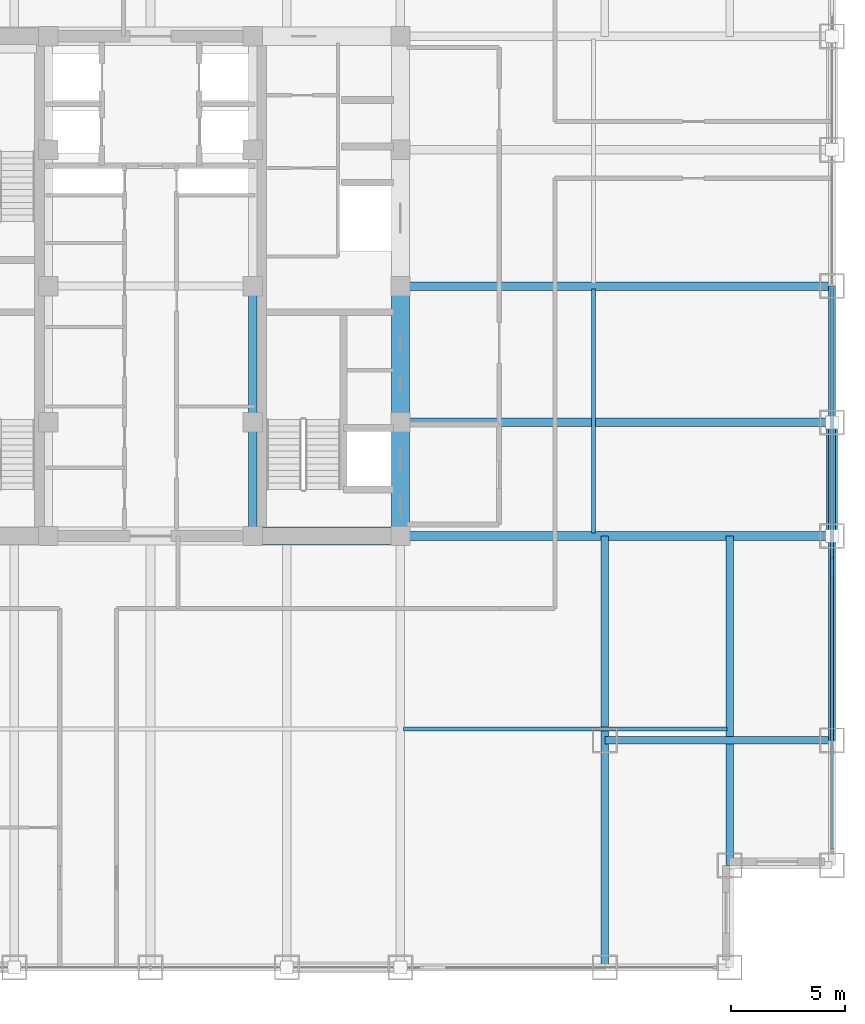
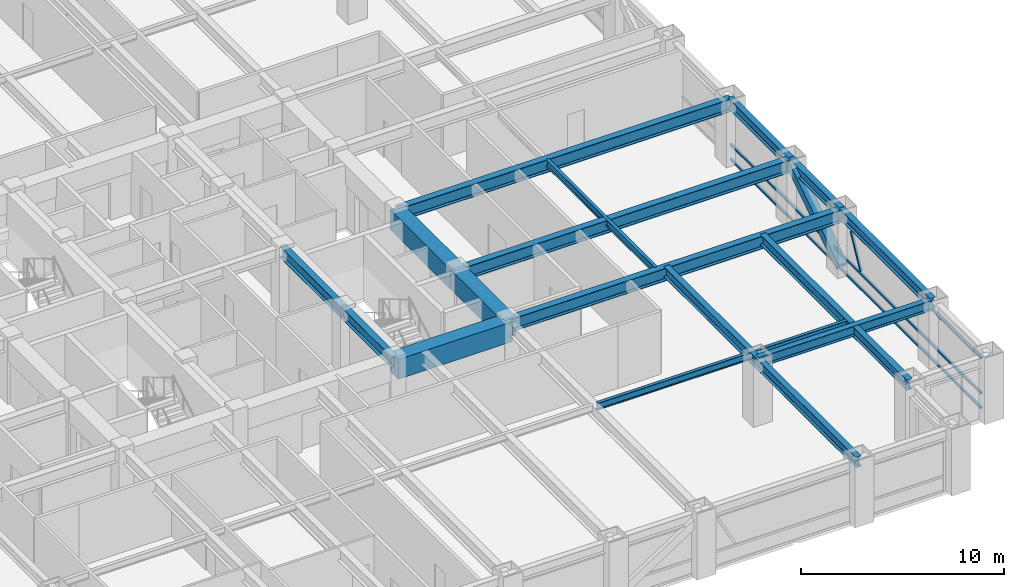
# One storey, part 9 of 24: 16 beams, 5 members, 1 element without a shape of its own.
"""IFC4 building model written with IfcOpenShell, lengths in metres."""

from ifc_helpers import new_model, si_unit, direction, frame, origin, origin_2d, place, context, subcontext, project, spatial, rectangle, hollow_rectangle, i_section, extrude, source, transform, mapped, material, material_profile, profile_set, type_object, element, aggregate, save


model = new_model("IFC4")

# Units and contexts
model_context = context("Model", 3, precision=1e-05, world=origin(), true_north=direction((0.0, 1.0)))
body_context = subcontext(model_context, "Body", "Model", "MODEL_VIEW")
ifc_project = project(units=[si_unit("LENGTHUNIT", "METRE"), si_unit("AREAUNIT", "SQUARE_METRE"), si_unit("VOLUMEUNIT", "CUBIC_METRE"), si_unit("PLANEANGLEUNIT", "RADIAN"), si_unit("MASSUNIT", "GRAM", prefix="KILO")], contexts=[model_context])

# Site, building, storey
site_placement = place(None, origin())
site = spatial("IfcSite", under=ifc_project, at=site_placement, CompositionType="ELEMENT")
building_placement = place(site_placement, origin())
building = spatial("IfcBuilding", under=site, at=building_placement, Name="Khorayat Bourse Tower", CompositionType="ELEMENT")
storey_placement = place(building_placement, frame((0.0, 0.0, 179.10009765625)))
storey = spatial("IfcBuildingStorey", under=building, at=storey_placement, Name="L41", CompositionType="ELEMENT", Elevation=179.10009765625)

# Beams
ifc_material_1 = material(Name="Concrete C72/90", Category="concrete")
ifc_material_profile_1 = material_profile(ifc_material_1, rectangle(XDim=0.800048828125, YDim=1.199951171875, at=origin_2d()), Name="RC 800x1200")
ifc_profile_set_1 = profile_set([ifc_material_profile_1], Name="Concrete C72/90")
beam_type_1 = type_object("IfcBeamType", Name="BM-COUP-1200", PredefinedType="BEAM", material=ifc_profile_set_1)
shared_shape_1 = source(origin(), body_context, "Body", "SweptSolid", [
    extrude(rectangle(XDim=0.800048828125, YDim=1.199951171875, at=origin_2d()), origin(), (0.0, 0.0, 1.0), 5.0),
])
beam_1_placement = place(storey_placement, frame((11.0, -11.0, 3.179931640625), z_axis=(0.0, 1.0, 0.0), x_axis=(-1.0, 0.0, 0.0)))
element("IfcBeam", 1, at=beam_1_placement, inside=storey, type_object=beam_type_1, Name="L41 BM-COUP-1200 BM-L41-CRX-13", PredefinedType="BEAM", context=body_context, shape_type="MappedRepresentation", body=[
    mapped(shared_shape_1, transform((0.0, 0.0, 0.0), scale=1.0)),
])
shared_shape_2 = source(origin(), body_context, "Body", "SweptSolid", [
    extrude(rectangle(XDim=0.800048828125, YDim=1.199951171875, at=origin_2d()), origin(), (0.0, 0.0, 1.0), 6.0),
])
beam_2_placement = place(storey_placement, frame((11.0, -6.0, 3.179931640625), z_axis=(0.0, 1.0, 0.0), x_axis=(-1.0, 0.0, 0.0)))
element("IfcBeam", 2, at=beam_2_placement, inside=storey, type_object=beam_type_1, Name="L41 BM-COUP-1200 BM-L41-CRX-14", PredefinedType="BEAM", context=body_context, shape_type="MappedRepresentation", body=[
    mapped(shared_shape_2, transform((0.0, 0.0, 0.0), scale=1.0)),
])
ifc_material_2 = material(Name="Steel ASTM A992 Grade 50", Category="steel")
ifc_material_profile_2 = material_profile(ifc_material_2, i_section(OverallWidth=0.35498046875, OverallDepth=0.695068359375, WebThickness=0.015380859375, FlangeThickness=0.02490234375, FilletRadius=0.01806640625, at=origin_2d()), Name="W690X217")
ifc_profile_set_2 = profile_set([ifc_material_profile_2], Name="Steel ASTM A992 Grade 50")
beam_type_2 = type_object("IfcBeamType", Name="BM-GIRD-690", PredefinedType="BEAM", material=ifc_profile_set_2)
shared_shape_3 = source(origin(), body_context, "Body", "SweptSolid", [
    extrude(i_section(OverallWidth=0.35498046875, OverallDepth=0.695068359375, WebThickness=0.015380859375, FlangeThickness=0.02490234375, FilletRadius=0.01806640625, at=origin_2d()), origin(), (0.0, 0.0, 1.0), 5.0),
])
beam_3_placement = place(storey_placement, frame((4.5, -11.0, 3.432373046875), z_axis=(0.0, 1.0, 0.0), x_axis=(-1.0, 0.0, 0.0)))
element("IfcBeam", 3, at=beam_3_placement, inside=storey, type_object=beam_type_2, Name="L41 BM-GIRD-690 BM-L41-CRX-09", PredefinedType="BEAM", context=body_context, shape_type="MappedRepresentation", body=[
    mapped(shared_shape_3, transform((0.0, 0.0, 0.0), scale=1.0)),
])
shared_shape_4 = source(origin(), body_context, "Body", "SweptSolid", [
    extrude(i_section(OverallWidth=0.35498046875, OverallDepth=0.695068359375, WebThickness=0.015380859375, FlangeThickness=0.02490234375, FilletRadius=0.01806640625, at=origin_2d()), origin(), (0.0, 0.0, 1.0), 6.0),
])
beam_4_placement = place(storey_placement, frame((4.5, -6.0, 3.432373046875), z_axis=(0.0, 1.0, 0.0), x_axis=(-1.0, 0.0, 0.0)))
element("IfcBeam", 4, at=beam_4_placement, inside=storey, type_object=beam_type_2, Name="L41 BM-GIRD-690 BM-L41-CRX-10", PredefinedType="BEAM", context=body_context, shape_type="MappedRepresentation", body=[
    mapped(shared_shape_4, transform((0.0, 0.0, 0.0), scale=1.0)),
])
shared_shape_5 = source(origin(), body_context, "Body", "SweptSolid", [
    extrude(rectangle(XDim=0.800048828125, YDim=1.199951171875, at=origin_2d()), origin(), (0.0, 0.0, 1.0), 6.5),
])
beam_5_placement = place(storey_placement, frame((4.5, -11.0, 3.179931640625), z_axis=(1.0, 0.0, 0.0), x_axis=(0.0, 1.0, 0.0)))
element("IfcBeam", 5, at=beam_5_placement, inside=storey, type_object=beam_type_1, Name="L41 BM-COUP-1200 BM-L41-CRY-19", PredefinedType="BEAM", context=body_context, shape_type="MappedRepresentation", body=[
    mapped(shared_shape_5, transform((0.0, 0.0, 0.0), scale=1.0)),
])
ifc_material_profile_3 = material_profile(ifc_material_2, i_section(OverallWidth=0.381103515625, OverallDepth=0.77294921875, WebThickness=0.0166015625, FlangeThickness=0.027587890625, FilletRadius=0.01806640625, at=origin_2d()), Name="W760X257")
ifc_profile_set_3 = profile_set([ifc_material_profile_3], Name="Steel ASTM A992 Grade 50")
beam_type_3 = type_object("IfcBeamType", Name="BM-GIRD-760", PredefinedType="BEAM", material=ifc_profile_set_3)
shared_shape_6 = source(origin(), body_context, "Body", "SweptSolid", [
    extrude(i_section(OverallWidth=0.381103515625, OverallDepth=0.77294921875, WebThickness=0.0166015625, FlangeThickness=0.027587890625, FilletRadius=0.01806640625, at=origin_2d()), origin(), (0.0, 0.0, 1.0), 19.0),
])
for number, where, z_axis, x_axis, name in (
    (6, (11.0, -11.0, 3.393310546875), (1.0, 0.0, 0.0), (0.0, 1.0, 0.0), "L41 BM-GIRD-760 BM-L41-RADX-074"),
    (7, (11.0, -6.0, 3.393310546875), (1.0, 0.0, 0.0), (0.0, 1.0, 0.0), "L41 BM-GIRD-760 BM-L41-RADX-076"),
    (8, (11.0, 0.0, 3.393310546875), (1.0, 0.0, 0.0), (0.0, 1.0, 0.0), "L41 BM-GIRD-760 BM-L41-RADX-078"),
):
    element("IfcBeam", number, at=place(storey_placement, frame(where, z_axis=z_axis, x_axis=x_axis)), inside=storey, type_object=beam_type_3, Name=name, PredefinedType="BEAM", context=body_context, shape_type="MappedRepresentation", body=[
        mapped(shared_shape_6, transform((0.0, 0.0, 0.0), scale=1.0)),
    ])
ifc_material_profile_4 = material_profile(ifc_material_2, i_section(OverallWidth=0.324951171875, OverallDepth=0.615966796875, WebThickness=0.013916015625, FlangeThickness=0.021484375, FilletRadius=0.01611328125, at=origin_2d()), Name="W610X174")
ifc_profile_set_4 = profile_set([ifc_material_profile_4], Name="Steel ASTM A992 Grade 50")
beam_type_4 = type_object("IfcBeamType", Name="BM-GIRD-610", PredefinedType="BEAM", material=ifc_profile_set_4)
shared_shape_7 = source(origin(), body_context, "Body", "SweptSolid", [
    extrude(i_section(OverallWidth=0.324951171875, OverallDepth=0.615966796875, WebThickness=0.013916015625, FlangeThickness=0.021484375, FilletRadius=0.01611328125, at=origin_2d()), origin(), (0.0, 0.0, 1.0), 19.0),
])
beam_6_placement = place(storey_placement, frame((20.0, -30.0, 3.471923828125), z_axis=(0.0, 1.0, 0.0), x_axis=(-1.0, 0.0, 0.0)))
element("IfcBeam", 9, at=beam_6_placement, inside=storey, type_object=beam_type_4, Name="L41 BM-GIRD-610 BM-L41-CNRY-086", PredefinedType="BEAM", context=body_context, shape_type="MappedRepresentation", body=[
    mapped(shared_shape_7, transform((0.0, 0.0, 0.0), scale=1.0)),
])
shared_shape_8 = source(origin(), body_context, "Body", "SweptSolid", [
    extrude(i_section(OverallWidth=0.324951171875, OverallDepth=0.615966796875, WebThickness=0.013916015625, FlangeThickness=0.021484375, FilletRadius=0.01611328125, at=origin_2d()), origin(), (0.0, 0.0, 1.0), 14.5),
])
beam_7_placement = place(storey_placement, frame((25.5, -25.5, 3.471923828125), z_axis=(0.0, 1.0, 0.0), x_axis=(-1.0, 0.0, 0.0)))
element("IfcBeam", 10, at=beam_7_placement, inside=storey, type_object=beam_type_4, Name="L41 BM-GIRD-610 BM-L41-CNRY-090", PredefinedType="BEAM", context=body_context, shape_type="MappedRepresentation", body=[
    mapped(shared_shape_8, transform((0.0, 0.0, 0.0), scale=1.0)),
])
shared_shape_9 = source(origin(), body_context, "Body", "SweptSolid", [
    extrude(i_section(OverallWidth=0.324951171875, OverallDepth=0.615966796875, WebThickness=0.013916015625, FlangeThickness=0.021484375, FilletRadius=0.01611328125, at=origin_2d()), origin(), (0.0, 0.0, 1.0), 10.0),
])
beam_8_placement = place(storey_placement, frame((20.0, -20.0, 3.471923828125), z_axis=(1.0, 0.0, 0.0), x_axis=(0.0, 1.0, 0.0)))
element("IfcBeam", 11, at=beam_8_placement, inside=storey, type_object=beam_type_4, Name="L41 BM-GIRD-610 BM-L41-CNRX-092", PredefinedType="BEAM", context=body_context, shape_type="MappedRepresentation", body=[
    mapped(shared_shape_9, transform((0.0, 0.0, 0.0), scale=1.0)),
])
ifc_material_profile_5 = material_profile(ifc_material_2, i_section(OverallWidth=0.180908203125, OverallDepth=0.4169921875, WebThickness=0.010986328125, FlangeThickness=0.018310546875, FilletRadius=0.011962890625, at=origin_2d()), Name="W410X85")
ifc_profile_set_5 = profile_set([ifc_material_profile_5], Name="Steel ASTM A992 Grade 50")
beam_type_5 = type_object("IfcBeamType", Name="BM-JOIST-410", PredefinedType="JOIST", material=ifc_profile_set_5)
shared_shape_10 = source(origin(), body_context, "Body", "SweptSolid", [
    extrude(i_section(OverallWidth=0.180908203125, OverallDepth=0.4169921875, WebThickness=0.010986328125, FlangeThickness=0.018310546875, FilletRadius=0.011962890625, at=origin_2d()), origin(), (0.0, 0.0, 1.0), 14.240234375),
])
beam_9_placement = place(storey_placement, frame((11.1298828125, -19.5, 3.5712890625), z_axis=(1.0, 0.0, 0.0), x_axis=(0.0, 1.0, 0.0)))
element("IfcBeam", 12, at=beam_9_placement, inside=storey, type_object=beam_type_5, Name="L41 BM-JOIST-410 BM-L41-JSTX-098", PredefinedType="JOIST", context=body_context, shape_type="MappedRepresentation", body=[
    mapped(shared_shape_10, transform((0.0, 0.0, 0.0), scale=1.0)),
])
shared_shape_11 = source(origin(), body_context, "Body", "SweptSolid", [
    extrude(i_section(OverallWidth=0.180908203125, OverallDepth=0.4169921875, WebThickness=0.010986328125, FlangeThickness=0.018310546875, FilletRadius=0.011962890625, at=origin_2d()), origin(), (0.0, 0.0, 1.0), 10.740234375),
])
beam_10_placement = place(storey_placement, frame((19.5, -10.8701171875, 3.5712890625), z_axis=(0.0, 1.0, 0.0), x_axis=(-1.0, 0.0, 0.0)))
element("IfcBeam", 13, at=beam_10_placement, inside=storey, type_object=beam_type_5, Name="L41 BM-JOIST-410 BM-L41-JSTY-104", PredefinedType="JOIST", context=body_context, shape_type="MappedRepresentation", body=[
    mapped(shared_shape_11, transform((0.0, 0.0, 0.0), scale=1.0)),
])
ifc_material_profile_6 = material_profile(ifc_material_2, i_section(OverallWidth=0.324951171875, OverallDepth=0.615966796875, WebThickness=0.013916015625, FlangeThickness=0.021484375, FilletRadius=0.01611328125, at=origin_2d()), Name="W610X174")
ifc_profile_set_6 = profile_set([ifc_material_profile_6], Name="Steel ASTM A992 Grade 50")
beam_type_6 = type_object("IfcBeamType", Name="BM-SPAN-610", PredefinedType="SPANDREL", material=ifc_profile_set_6)
shared_shape_12 = source(origin(), body_context, "Body", "SweptSolid", [
    extrude(i_section(OverallWidth=0.324951171875, OverallDepth=0.615966796875, WebThickness=0.013916015625, FlangeThickness=0.021484375, FilletRadius=0.01611328125, at=origin_2d()), origin(), (0.0, 0.0, 1.0), 9.0),
])
beam_11_placement = place(storey_placement, frame((30.0, -20.0, 3.471923828125), z_axis=(0.0, 1.0, 0.0), x_axis=(-1.0, 0.0, 0.0)))
element("IfcBeam", 14, at=beam_11_placement, inside=storey, type_object=beam_type_6, Name="L41 BM-SPAN-610 BM-L41-SPN-035", PredefinedType="SPANDREL", context=body_context, shape_type="MappedRepresentation", body=[
    mapped(shared_shape_12, transform((0.0, 0.0, 0.0), scale=1.0)),
])
shared_shape_13 = source(origin(), body_context, "Body", "SweptSolid", [
    extrude(i_section(OverallWidth=0.324951171875, OverallDepth=0.615966796875, WebThickness=0.013916015625, FlangeThickness=0.021484375, FilletRadius=0.01611328125, at=origin_2d()), origin(), (0.0, 0.0, 1.0), 5.0),
])
beam_12_placement = place(storey_placement, frame((30.0, -11.0, 3.471923828125), z_axis=(0.0, 1.0, 0.0), x_axis=(-1.0, 0.0, 0.0)))
element("IfcBeam", 15, at=beam_12_placement, inside=storey, type_object=beam_type_6, Name="L41 BM-SPAN-610 BM-L41-SPN-036", PredefinedType="SPANDREL", context=body_context, shape_type="MappedRepresentation", body=[
    mapped(shared_shape_13, transform((0.0, 0.0, 0.0), scale=1.0)),
])
shared_shape_14 = source(origin(), body_context, "Body", "SweptSolid", [
    extrude(i_section(OverallWidth=0.324951171875, OverallDepth=0.615966796875, WebThickness=0.013916015625, FlangeThickness=0.021484375, FilletRadius=0.01611328125, at=origin_2d()), origin(), (0.0, 0.0, 1.0), 6.0),
])
beam_13_placement = place(storey_placement, frame((30.0, -6.0, 3.471923828125), z_axis=(0.0, 1.0, 0.0), x_axis=(-1.0, 0.0, 0.0)))
element("IfcBeam", 16, at=beam_13_placement, inside=storey, type_object=beam_type_6, Name="L41 BM-SPAN-610 BM-L41-SPN-037", PredefinedType="SPANDREL", context=body_context, shape_type="MappedRepresentation", body=[
    mapped(shared_shape_14, transform((0.0, 0.0, 0.0), scale=1.0)),
])

# Member
ifc_material_3 = material(Name="Steel EN 10025-4 S460M", Category="steel")
ifc_material_profile_7 = material_profile(ifc_material_3, hollow_rectangle(XDim=0.5, YDim=0.5, WallThickness=0.028076171875, at=origin_2d()), Name="HSS 500x500x28")
ifc_profile_set_7 = profile_set([ifc_material_profile_7], Name="Steel EN 10025-4 S460M")
member_type_1 = type_object("IfcMemberType", Name="MBR-TUBE-500", PredefinedType="BRACE", material=ifc_profile_set_7)
shared_shape_15 = source(origin(), body_context, "Body", "SweptSolid", [
    extrude(hollow_rectangle(XDim=0.5, YDim=0.5, WallThickness=0.028076171875, at=origin_2d()), origin(), (0.0, 0.0, 1.0), 5.979736328125),
])
member_1_placement = place(storey_placement, frame((30.0, -11.0, 0.25), z_axis=(0.0, 0.836160261256, 0.548485202623), x_axis=(-1.0, 0.0, 0.0)))
element("IfcMember", 17, at=member_1_placement, inside=storey, type_object=member_type_1, Name="L41 Perimeter Tube Brace 07", PredefinedType="BRACE", context=body_context, shape_type="MappedRepresentation", body=[
    mapped(shared_shape_15, transform((0.0, 0.0, 0.0), scale=1.0)),
])

# Curtain wall, members
ifc_material_4 = material(Name="Aluminium EN AW-6063 T6", Category="aluminium")
curtain_wall_type = type_object("IfcCurtainWallType", Name="CW-SYS-03", PredefinedType="NOTDEFINED", material=ifc_material_4)
curtain_wall_placement = place(storey_placement, origin())
curtain_wall = element("IfcCurtainWall", 18, at=curtain_wall_placement, inside=storey, type_object=curtain_wall_type, Name="L41 Curtain Wall CW-L41-E1", PredefinedType="NOTDEFINED")
ifc_material_profile_8 = material_profile(ifc_material_4, hollow_rectangle(XDim=0.1201171875, YDim=0.1201171875, WallThickness=0.0048828125, at=origin_2d()), Name="ALU 120x120x5")
ifc_profile_set_8 = profile_set([ifc_material_profile_8], Name="Aluminium EN AW-6063 T6")
member_type_2 = type_object("IfcMemberType", Name="CWM-DIAG-120", PredefinedType="MULLION", material=ifc_profile_set_8)
shared_shape_16 = source(origin(), body_context, "Body", "SweptSolid", [
    extrude(hollow_rectangle(XDim=0.1201171875, YDim=0.1201171875, WallThickness=0.0048828125, at=origin_2d()), origin(), (0.0, 0.0, 1.0), 2.079345703125),
])
member_2_placement = place(storey_placement, frame((30.0, -12.904296875, 1.08984375), z_axis=(0.0, 0.465760949701, 0.884910581773), x_axis=(-1.0, 0.0, 0.0)))
member_2 = element("IfcMember", 19, at=member_2_placement, type_object=member_type_2, Name="CW-L41-E1 Faceted Diagonal Mullion 1", PredefinedType="MULLION", context=body_context, shape_type="MappedRepresentation", body=[
    mapped(shared_shape_16, transform((0.0, 0.0, 0.0), scale=1.0)),
])
ifc_material_profile_9 = material_profile(ifc_material_4, hollow_rectangle(XDim=0.1201171875, YDim=0.1201171875, WallThickness=0.0048828125, at=origin_2d()), Name="ALU 120x120x5")
ifc_profile_set_9 = profile_set([ifc_material_profile_9], Name="Aluminium EN AW-6063 T6")
member_type_3 = type_object("IfcMemberType", Name="CWT-HORZ-120", PredefinedType="USERDEFINED", material=ifc_profile_set_9)
shared_shape_17 = source(origin(), body_context, "Body", "SweptSolid", [
    extrude(hollow_rectangle(XDim=0.1201171875, YDim=0.1201171875, WallThickness=0.0048828125, at=origin_2d()), origin(), (0.0, 0.0, 1.0), 24.719970703125),
])
member_3_placement = place(storey_placement, frame((30.0, -24.780029296875, 0.059814453125), z_axis=(0.0, 1.0, 0.0), x_axis=(-1.0, 0.0, 0.0)))
member_3 = element("IfcMember", 20, at=member_3_placement, type_object=member_type_3, Name="CW-L41-E1 Horizontal Transom 1-1", ObjectType="TRANSOM", PredefinedType="USERDEFINED", context=body_context, shape_type="MappedRepresentation", body=[
    mapped(shared_shape_17, transform((0.0, 0.0, 0.0), scale=1.0)),
])
member_4_placement = place(storey_placement, frame((30.0, -24.780029296875, 0.949951171875), z_axis=(0.0, 1.0, 0.0), x_axis=(-1.0, 0.0, 0.0)))
member_4 = element("IfcMember", 21, at=member_4_placement, type_object=member_type_3, Name="CW-L41-E1 Horizontal Transom 1-2", ObjectType="TRANSOM", PredefinedType="USERDEFINED", context=body_context, shape_type="MappedRepresentation", body=[
    mapped(shared_shape_17, transform((0.0, 0.0, 0.0), scale=1.0)),
])
member_5_placement = place(storey_placement, frame((30.0, -24.780029296875, 3.06982421875), z_axis=(0.0, 1.0, 0.0), x_axis=(-1.0, 0.0, 0.0)))
member_5 = element("IfcMember", 22, at=member_5_placement, type_object=member_type_3, Name="CW-L41-E1 Horizontal Transom 1-3", ObjectType="TRANSOM", PredefinedType="USERDEFINED", context=body_context, shape_type="MappedRepresentation", body=[
    mapped(shared_shape_17, transform((0.0, 0.0, 0.0), scale=1.0)),
])
aggregate(curtain_wall, [member_3, member_4, member_5, member_2])

save(model, "model.ifc")
